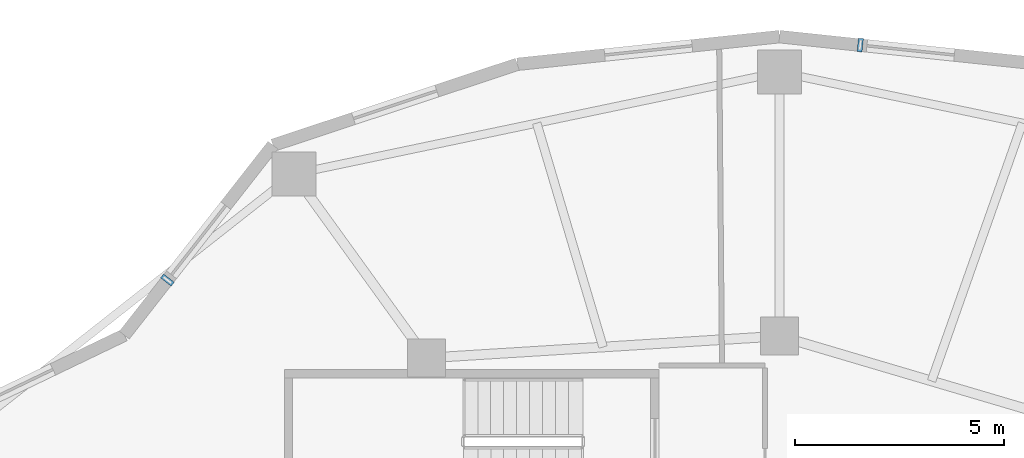
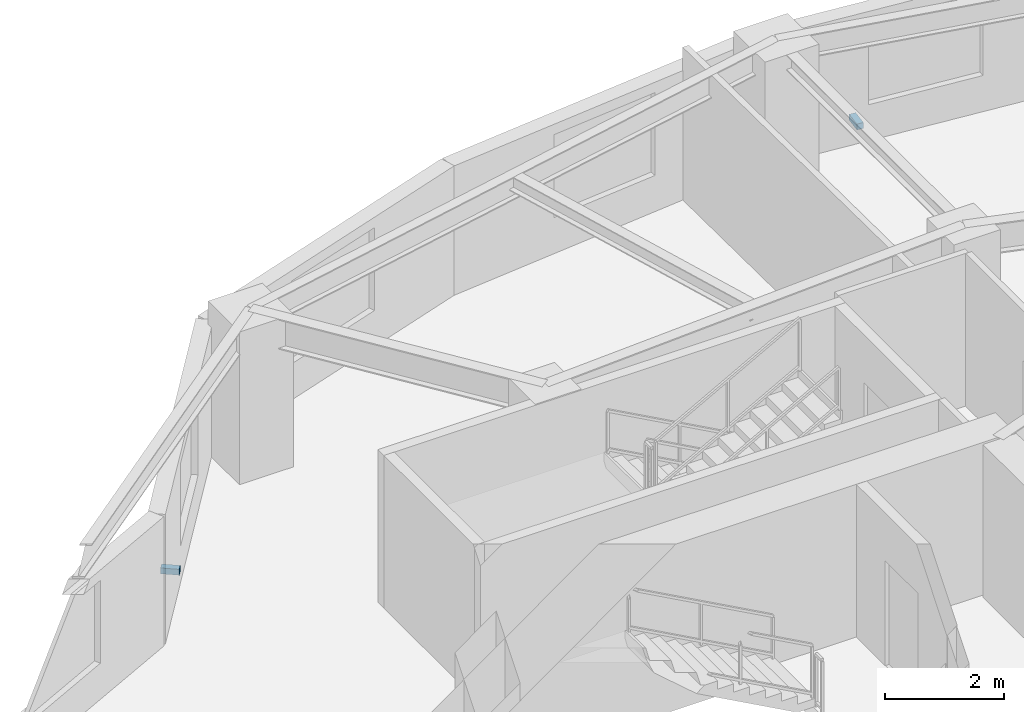
# One storey, part 10 of 14: 2 discrete accessories.
"""IFC4 building model written with IfcOpenShell, lengths in metres."""

from ifc_helpers import new_model, si_unit, direction, frame, origin, origin_2d, place, context, subcontext, project, spatial, rectangle, extrude, material, type_object, element, save


model = new_model("IFC4")

# Units and contexts
model_context = context("Model", 3, precision=1e-05, world=origin(), true_north=direction((0.0, 1.0)))
body_context = subcontext(model_context, "Body", "Model", "MODEL_VIEW")
ifc_project = project(units=[si_unit("LENGTHUNIT", "METRE"), si_unit("AREAUNIT", "SQUARE_METRE"), si_unit("VOLUMEUNIT", "CUBIC_METRE"), si_unit("PLANEANGLEUNIT", "RADIAN"), si_unit("MASSUNIT", "GRAM", prefix="KILO")], contexts=[model_context])

# Site, building, storey
site_placement = place(None, origin())
site = spatial("IfcSite", under=ifc_project, at=site_placement, CompositionType="ELEMENT")
building_placement = place(site_placement, origin())
building = spatial("IfcBuilding", under=site, at=building_placement, Name="Kolvaren Gate Tower and Convention Centre", CompositionType="ELEMENT")
storey_placement = place(building_placement, frame((0.0, 0.0, 105.300048828125)))
storey = spatial("IfcBuildingStorey", under=building, at=storey_placement, Name="L25", CompositionType="ELEMENT", Elevation=105.300048828125)

# Discrete accessories
ifc_material = material(Name="Anodized Architectural Aluminium Alloy 6063-T6", Category="aluminium")
discrete_accessory_type = type_object("IfcDiscreteAccessoryType", Name="ARCH-ACC-BRACKET-120", PredefinedType="BRACKET", material=ifc_material)
for number, where, z_axis, x_axis, name in (
    (1, (32.05126953125, 46.147216796875, 0.289794921875), (0.0, 0.0, 1.0), (0.994499981166, -0.104736753152, 0.0), "Ceramic Fin Wall Anchor Bracket FBK-L25-05"),
    (2, (15.510009765625, 40.537109375, 0.289794921875), (0.0, 0.0, 1.0), (0.616435493395, 0.787405411769, 0.0), "Ceramic Fin Wall Anchor Bracket FBK-L25-08"),
):
    element("IfcDiscreteAccessory", number, at=place(storey_placement, frame(where, z_axis=z_axis, x_axis=x_axis)), inside=storey, type_object=discrete_accessory_type, Name=name, PredefinedType="BRACKET", context=body_context, shape_type="SweptSolid", body=[
        extrude(rectangle(XDim=0.1201171875, YDim=0.320068359375, at=origin_2d()), origin(), (0.0, 0.0, 1.0), 0.1201171875),
    ])

save(model, "model.ifc")
